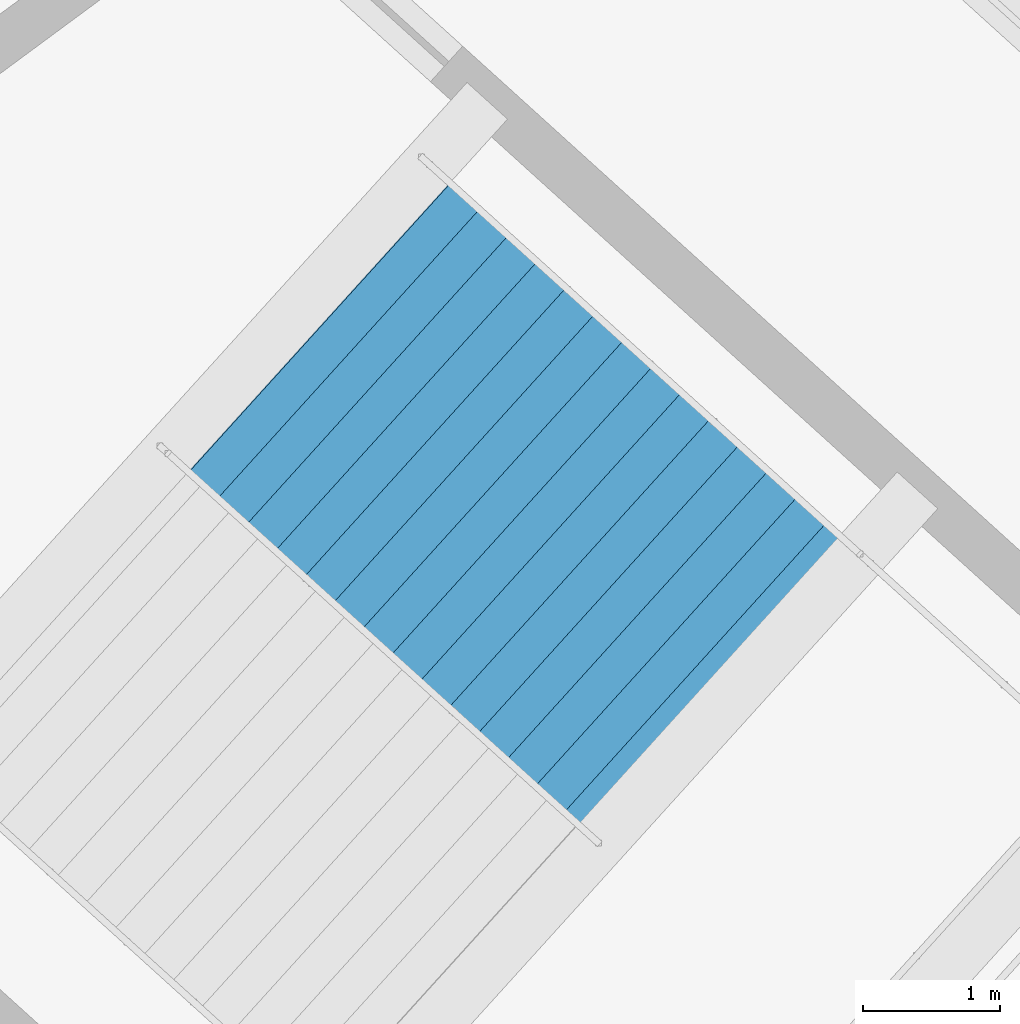
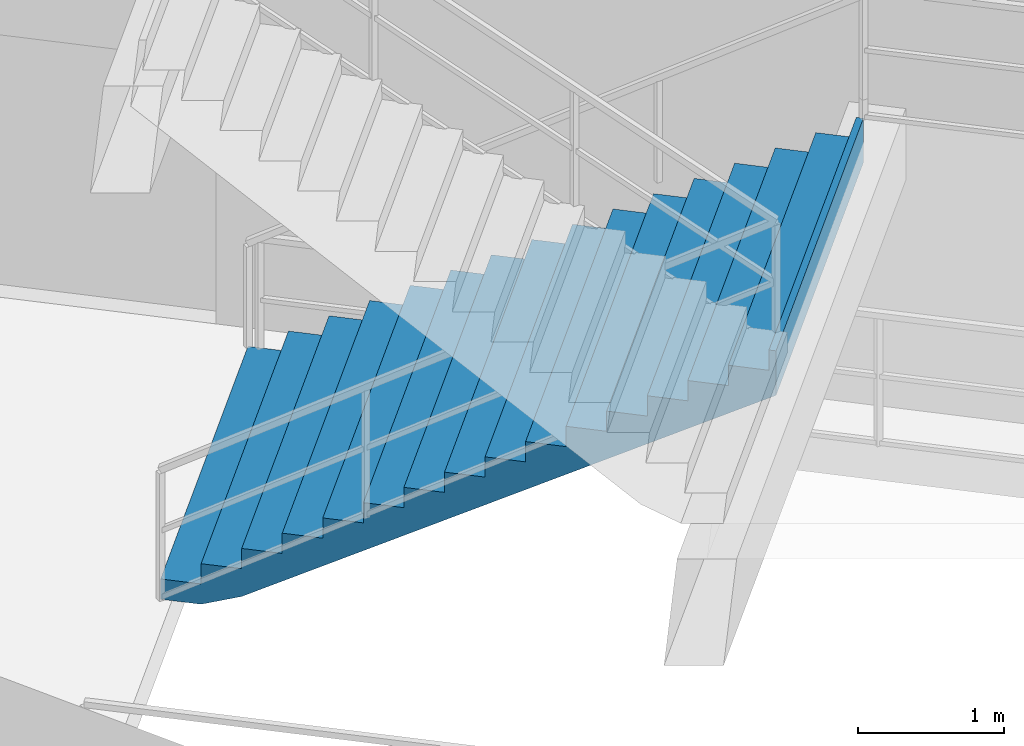
# One storey, part 141 of 186: 1 stair flight, 1 element without a shape of its own.
"""IFC4 building model written with IfcOpenShell, lengths in metres."""

from ifc_helpers import new_model, si_unit, direction, frame, origin, place, context, subcontext, project, spatial, polygons, material, type_object, element, aggregate, save


model = new_model("IFC4")

# Units and contexts
model_context = context("Model", 3, precision=1e-05, world=origin(), true_north=direction((0.0, 1.0)))
body_context = subcontext(model_context, "Body", "Model", "MODEL_VIEW")
ifc_project = project(units=[si_unit("LENGTHUNIT", "METRE"), si_unit("AREAUNIT", "SQUARE_METRE"), si_unit("VOLUMEUNIT", "CUBIC_METRE"), si_unit("PLANEANGLEUNIT", "RADIAN"), si_unit("MASSUNIT", "GRAM", prefix="KILO")], contexts=[model_context])

# Site, building, storey
site_placement = place(None, origin())
site = spatial("IfcSite", under=ifc_project, at=site_placement, CompositionType="ELEMENT")
building_placement = place(site_placement, origin())
building = spatial("IfcBuilding", under=site, at=building_placement, Name="Kazemori Nagisa Stadium", CompositionType="ELEMENT")
storey_placement = place(building_placement, frame((0.0, 0.0, 20.39990234375)))
storey = spatial("IfcBuildingStorey", under=building, at=storey_placement, Name="L04", CompositionType="ELEMENT", Elevation=20.39990234375)

# Stair, stair flight
ifc_material = material(Name="Concrete C36/45 (Fc36)", Category="concrete")
stair_type = type_object("IfcStairType", Name="Stair_CORE_32", PredefinedType="TWO_STRAIGHT_RUN_STAIR", material=ifc_material)
stair_placement = place(storey_placement, origin())
stair = element("IfcStair", 1, at=stair_placement, inside=storey, type_object=stair_type, Name="Exit stair ST03 L04", PredefinedType="TWO_STRAIGHT_RUN_STAIR")
stair_flight_type = type_object("IfcStairFlightType", Name="Flight_CORE_16", PredefinedType="STRAIGHT", material=ifc_material)
stair_flight_placement = place(storey_placement, frame((54.10791015625, 47.6630859375, 0.0), z_axis=(0.0, 0.0, 1.0), x_axis=(0.741354464355, -0.671113670089, 0.0)))
stair_flight = element("IfcStairFlight", 2, at=stair_flight_placement, type_object=stair_flight_type, Name="Exit stair ST03 L04 flight 1", NumberOfRisers=16, NumberOfTreads=15, PredefinedType="STRAIGHT", RiserHeight=0.17, TreadLength=0.285, context=body_context, shape_type="Tessellation", body=[
    polygons([(0.0, -1.425048828125, 0.0), (0.0, -1.425048828125, 0.169921875), (0.284912109375, -1.425048828125, 0.169921875), (0.284912109375, -1.425048828125, 0.340087890625), (0.570068359375, -1.425048828125, 0.340087890625), (0.570068359375, -1.425048828125, 0.510009765625), (0.85498046875, -1.425048828125, 0.510009765625), (0.85498046875, -1.425048828125, 0.679931640625), (1.139892578125, -1.425048828125, 0.679931640625), (1.139892578125, -1.425048828125, 0.85009765625), (1.425048828125, -1.425048828125, 0.85009765625), (1.425048828125, -1.425048828125, 1.02001953125), (1.7099609375, -1.425048828125, 1.02001953125), (1.7099609375, -1.425048828125, 1.18994140625), (1.9951171875, -1.425048828125, 1.18994140625), (1.9951171875, -1.425048828125, 1.360107421875), (2.280029296875, -1.425048828125, 1.360107421875), (2.280029296875, -1.425048828125, 1.530029296875), (2.56494140625, -1.425048828125, 1.530029296875), (2.56494140625, -1.425048828125, 1.699951171875), (2.85009765625, -1.425048828125, 1.699951171875), (2.85009765625, -1.425048828125, 1.8701171875), (3.135009765625, -1.425048828125, 1.8701171875), (3.135009765625, -1.425048828125, 2.0400390625), (3.419921875, -1.425048828125, 2.0400390625), (3.419921875, -1.425048828125, 2.2099609375), (3.705078125, -1.425048828125, 2.2099609375), (3.705078125, -1.425048828125, 2.3798828125), (3.989990234375, -1.425048828125, 2.3798828125), (3.989990234375, -1.425048828125, 2.550048828125), (4.27490234375, -1.425048828125, 2.550048828125), (4.27490234375, -1.425048828125, 2.719970703125), (4.324951171875, -1.425048828125, 2.719970703125), (4.324951171875, -1.425048828125, 2.346923828125), (4.27490234375, -1.425048828125, 2.317138671875), (3.989990234375, -1.425048828125, 2.147216796875), (3.705078125, -1.425048828125, 1.977294921875), (3.419921875, -1.425048828125, 1.80712890625), (3.135009765625, -1.425048828125, 1.63720703125), (2.85009765625, -1.425048828125, 1.46728515625), (2.56494140625, -1.425048828125, 1.297119140625), (2.280029296875, -1.425048828125, 1.127197265625), (1.9951171875, -1.425048828125, 0.957275390625), (1.7099609375, -1.425048828125, 0.787109375), (1.425048828125, -1.425048828125, 0.6171875), (1.139892578125, -1.425048828125, 0.447265625), (0.85498046875, -1.425048828125, 0.277099609375), (0.570068359375, -1.425048828125, 0.107177734375), (0.284912109375, -1.425048828125, 0.0), (0.0, -0.08544921875, 0.0), (0.0, -0.08544921875, 0.169921875), (0.284912109375, -0.08544921875, 0.169921875), (0.284912109375, -0.08544921875, 0.340087890625), (0.570068359375, -0.08544921875, 0.340087890625), (0.570068359375, -0.08544921875, 0.510009765625), (0.85498046875, -0.08544921875, 0.510009765625), (0.85498046875, -0.08544921875, 0.679931640625), (1.139892578125, -0.08544921875, 0.679931640625), (1.139892578125, -0.08544921875, 0.85009765625), (1.425048828125, -0.08544921875, 0.85009765625), (1.425048828125, -0.08544921875, 1.02001953125), (1.7099609375, -0.08544921875, 1.02001953125), (1.7099609375, -0.08544921875, 1.18994140625), (1.9951171875, -0.08544921875, 1.18994140625), (1.9951171875, -0.08544921875, 1.360107421875), (2.280029296875, -0.08544921875, 1.360107421875), (2.280029296875, -0.08544921875, 1.530029296875), (2.56494140625, -0.08544921875, 1.530029296875), (2.56494140625, -0.08544921875, 1.699951171875), (2.85009765625, -0.08544921875, 1.699951171875), (2.85009765625, -0.08544921875, 1.8701171875), (3.135009765625, -0.08544921875, 1.8701171875), (3.135009765625, -0.08544921875, 2.0400390625), (3.419921875, -0.08544921875, 2.0400390625), (3.419921875, -0.08544921875, 2.2099609375), (3.705078125, -0.08544921875, 2.2099609375), (3.705078125, -0.08544921875, 2.3798828125), (3.989990234375, -0.08544921875, 2.3798828125), (3.989990234375, -0.08544921875, 2.550048828125), (4.27490234375, -0.08544921875, 2.550048828125), (4.27490234375, -0.08544921875, 2.719970703125), (4.324951171875, -0.08544921875, 2.719970703125), (4.324951171875, -0.08544921875, 2.346923828125), (4.27490234375, -0.08544921875, 2.317138671875), (3.989990234375, -0.08544921875, 2.147216796875), (3.705078125, -0.08544921875, 1.977294921875), (3.419921875, -0.08544921875, 1.80712890625), (3.135009765625, -0.08544921875, 1.63720703125), (2.85009765625, -0.08544921875, 1.46728515625), (2.56494140625, -0.08544921875, 1.297119140625), (2.280029296875, -0.08544921875, 1.127197265625), (1.9951171875, -0.08544921875, 0.957275390625), (1.7099609375, -0.08544921875, 0.787109375), (1.425048828125, -0.08544921875, 0.6171875), (1.139892578125, -0.08544921875, 0.447265625), (0.85498046875, -0.08544921875, 0.277099609375), (0.570068359375, -0.08544921875, 0.107177734375), (0.284912109375, -0.08544921875, 0.0), (0.0, 0.0, 0.0), (0.0, 0.0, 0.169921875), (0.284912109375, 0.0, 0.169921875), (0.284912109375, 0.0, 0.340087890625), (0.570068359375, 0.0, 0.340087890625), (0.570068359375, 0.0, 0.510009765625), (0.85498046875, 0.0, 0.510009765625), (0.85498046875, 0.0, 0.679931640625), (1.139892578125, 0.0, 0.679931640625), (1.139892578125, 0.0, 0.85009765625), (1.425048828125, 0.0, 0.85009765625), (1.425048828125, 0.0, 1.02001953125), (1.7099609375, 0.0, 1.02001953125), (1.7099609375, 0.0, 1.18994140625), (1.9951171875, 0.0, 1.18994140625), (1.9951171875, 0.0, 1.360107421875), (2.280029296875, 0.0, 1.360107421875), (2.280029296875, 0.0, 1.530029296875), (2.56494140625, 0.0, 1.530029296875), (2.56494140625, 0.0, 1.699951171875), (2.85009765625, 0.0, 1.699951171875), (2.85009765625, 0.0, 1.8701171875), (3.135009765625, 0.0, 1.8701171875), (3.135009765625, 0.0, 2.0400390625), (3.419921875, 0.0, 2.0400390625), (3.419921875, 0.0, 2.2099609375), (3.705078125, 0.0, 2.2099609375), (3.705078125, 0.0, 2.3798828125), (3.989990234375, 0.0, 2.3798828125), (3.989990234375, 0.0, 2.550048828125), (4.27490234375, 0.0, 2.550048828125), (4.27490234375, 0.0, 2.719970703125), (4.324951171875, 0.0, 2.719970703125), (4.324951171875, 0.0, 2.346923828125), (4.27490234375, 0.0, 2.317138671875), (3.989990234375, 0.0, 2.147216796875), (3.705078125, 0.0, 1.977294921875), (3.419921875, 0.0, 1.80712890625), (3.135009765625, 0.0, 1.63720703125), (2.85009765625, 0.0, 1.46728515625), (2.56494140625, 0.0, 1.297119140625), (2.280029296875, 0.0, 1.127197265625), (1.9951171875, 0.0, 0.957275390625), (1.7099609375, 0.0, 0.787109375), (1.425048828125, 0.0, 0.6171875), (1.139892578125, 0.0, 0.447265625), (0.85498046875, 0.0, 0.277099609375), (0.570068359375, 0.0, 0.107177734375), (0.284912109375, 0.0, 0.0), (0.0, 0.08544921875, 0.0), (0.0, 0.08544921875, 0.169921875), (0.284912109375, 0.08544921875, 0.169921875), (0.284912109375, 0.08544921875, 0.340087890625), (0.570068359375, 0.08544921875, 0.340087890625), (0.570068359375, 0.08544921875, 0.510009765625), (0.85498046875, 0.08544921875, 0.510009765625), (0.85498046875, 0.08544921875, 0.679931640625), (1.139892578125, 0.08544921875, 0.679931640625), (1.139892578125, 0.08544921875, 0.85009765625), (1.425048828125, 0.08544921875, 0.85009765625), (1.425048828125, 0.08544921875, 1.02001953125), (1.7099609375, 0.08544921875, 1.02001953125), (1.7099609375, 0.08544921875, 1.18994140625), (1.9951171875, 0.08544921875, 1.18994140625), (1.9951171875, 0.08544921875, 1.360107421875), (2.280029296875, 0.08544921875, 1.360107421875), (2.280029296875, 0.08544921875, 1.530029296875), (2.56494140625, 0.08544921875, 1.530029296875), (2.56494140625, 0.08544921875, 1.699951171875), (2.85009765625, 0.08544921875, 1.699951171875), (2.85009765625, 0.08544921875, 1.8701171875), (3.135009765625, 0.08544921875, 1.8701171875), (3.135009765625, 0.08544921875, 2.0400390625), (3.419921875, 0.08544921875, 2.0400390625), (3.419921875, 0.08544921875, 2.2099609375), (3.705078125, 0.08544921875, 2.2099609375), (3.705078125, 0.08544921875, 2.3798828125), (3.989990234375, 0.08544921875, 2.3798828125), (3.989990234375, 0.08544921875, 2.550048828125), (4.27490234375, 0.08544921875, 2.550048828125), (4.27490234375, 0.08544921875, 2.719970703125), (4.324951171875, 0.08544921875, 2.719970703125), (4.324951171875, 0.08544921875, 2.346923828125), (4.27490234375, 0.08544921875, 2.317138671875), (3.989990234375, 0.08544921875, 2.147216796875), (3.705078125, 0.08544921875, 1.977294921875), (3.419921875, 0.08544921875, 1.80712890625), (3.135009765625, 0.08544921875, 1.63720703125), (2.85009765625, 0.08544921875, 1.46728515625), (2.56494140625, 0.08544921875, 1.297119140625), (2.280029296875, 0.08544921875, 1.127197265625), (1.9951171875, 0.08544921875, 0.957275390625), (1.7099609375, 0.08544921875, 0.787109375), (1.425048828125, 0.08544921875, 0.6171875), (1.139892578125, 0.08544921875, 0.447265625), (0.85498046875, 0.08544921875, 0.277099609375), (0.570068359375, 0.08544921875, 0.107177734375), (0.284912109375, 0.08544921875, 0.0), (0.0, 1.425048828125, 0.0), (0.0, 1.425048828125, 0.169921875), (0.284912109375, 1.425048828125, 0.169921875), (0.284912109375, 1.425048828125, 0.340087890625), (0.570068359375, 1.425048828125, 0.340087890625), (0.570068359375, 1.425048828125, 0.510009765625), (0.85498046875, 1.425048828125, 0.510009765625), (0.85498046875, 1.425048828125, 0.679931640625), (1.139892578125, 1.425048828125, 0.679931640625), (1.139892578125, 1.425048828125, 0.85009765625), (1.425048828125, 1.425048828125, 0.85009765625), (1.425048828125, 1.425048828125, 1.02001953125), (1.7099609375, 1.425048828125, 1.02001953125), (1.7099609375, 1.425048828125, 1.18994140625), (1.9951171875, 1.425048828125, 1.18994140625), (1.9951171875, 1.425048828125, 1.360107421875), (2.280029296875, 1.425048828125, 1.360107421875), (2.280029296875, 1.425048828125, 1.530029296875), (2.56494140625, 1.425048828125, 1.530029296875), (2.56494140625, 1.425048828125, 1.699951171875), (2.85009765625, 1.425048828125, 1.699951171875), (2.85009765625, 1.425048828125, 1.8701171875), (3.135009765625, 1.425048828125, 1.8701171875), (3.135009765625, 1.425048828125, 2.0400390625), (3.419921875, 1.425048828125, 2.0400390625), (3.419921875, 1.425048828125, 2.2099609375), (3.705078125, 1.425048828125, 2.2099609375), (3.705078125, 1.425048828125, 2.3798828125), (3.989990234375, 1.425048828125, 2.3798828125), (3.989990234375, 1.425048828125, 2.550048828125), (4.27490234375, 1.425048828125, 2.550048828125), (4.27490234375, 1.425048828125, 2.719970703125), (4.324951171875, 1.425048828125, 2.719970703125), (4.324951171875, 1.425048828125, 2.346923828125), (4.27490234375, 1.425048828125, 2.317138671875), (3.989990234375, 1.425048828125, 2.147216796875), (3.705078125, 1.425048828125, 1.977294921875), (3.419921875, 1.425048828125, 1.80712890625), (3.135009765625, 1.425048828125, 1.63720703125), (2.85009765625, 1.425048828125, 1.46728515625), (2.56494140625, 1.425048828125, 1.297119140625), (2.280029296875, 1.425048828125, 1.127197265625), (1.9951171875, 1.425048828125, 0.957275390625), (1.7099609375, 1.425048828125, 0.787109375), (1.425048828125, 1.425048828125, 0.6171875), (1.139892578125, 1.425048828125, 0.447265625), (0.85498046875, 1.425048828125, 0.277099609375), (0.570068359375, 1.425048828125, 0.107177734375), (0.284912109375, 1.425048828125, 0.0)], [[[1, 2, 51]], [[1, 51, 50]], [[2, 3, 52]], [[2, 52, 51]], [[3, 4, 53]], [[3, 53, 52]], [[4, 5, 54]], [[4, 54, 53]], [[5, 6, 55]], [[5, 55, 54]], [[6, 7, 56]], [[6, 56, 55]], [[7, 8, 57]], [[7, 57, 56]], [[8, 9, 58]], [[8, 58, 57]], [[9, 10, 59]], [[9, 59, 58]], [[10, 11, 60]], [[10, 60, 59]], [[11, 12, 61]], [[11, 61, 60]], [[12, 13, 62]], [[12, 62, 61]], [[13, 14, 63]], [[13, 63, 62]], [[14, 15, 64]], [[14, 64, 63]], [[15, 16, 65]], [[15, 65, 64]], [[16, 17, 66]], [[16, 66, 65]], [[17, 18, 67]], [[17, 67, 66]], [[18, 19, 68]], [[18, 68, 67]], [[19, 20, 69]], [[19, 69, 68]], [[20, 21, 70]], [[20, 70, 69]], [[21, 22, 71]], [[21, 71, 70]], [[22, 23, 72]], [[22, 72, 71]], [[23, 24, 73]], [[23, 73, 72]], [[24, 25, 74]], [[24, 74, 73]], [[25, 26, 75]], [[25, 75, 74]], [[26, 27, 76]], [[26, 76, 75]], [[27, 28, 77]], [[27, 77, 76]], [[28, 29, 78]], [[28, 78, 77]], [[29, 30, 79]], [[29, 79, 78]], [[30, 31, 80]], [[30, 80, 79]], [[31, 32, 81]], [[31, 81, 80]], [[32, 33, 82]], [[32, 82, 81]], [[33, 34, 83]], [[33, 83, 82]], [[34, 35, 84]], [[34, 84, 83]], [[35, 36, 85]], [[35, 85, 84]], [[36, 37, 86]], [[36, 86, 85]], [[37, 38, 87]], [[37, 87, 86]], [[38, 39, 88]], [[38, 88, 87]], [[39, 40, 89]], [[39, 89, 88]], [[40, 41, 90]], [[40, 90, 89]], [[41, 42, 91]], [[41, 91, 90]], [[42, 43, 92]], [[42, 92, 91]], [[43, 44, 93]], [[43, 93, 92]], [[44, 45, 94]], [[44, 94, 93]], [[45, 46, 95]], [[45, 95, 94]], [[46, 47, 96]], [[46, 96, 95]], [[47, 48, 97]], [[47, 97, 96]], [[48, 49, 98]], [[48, 98, 97]], [[49, 1, 50]], [[49, 50, 98]], [[50, 51, 100]], [[50, 100, 99]], [[51, 52, 101]], [[51, 101, 100]], [[52, 53, 102]], [[52, 102, 101]], [[53, 54, 103]], [[53, 103, 102]], [[54, 55, 104]], [[54, 104, 103]], [[55, 56, 105]], [[55, 105, 104]], [[56, 57, 106]], [[56, 106, 105]], [[57, 58, 107]], [[57, 107, 106]], [[58, 59, 108]], [[58, 108, 107]], [[59, 60, 109]], [[59, 109, 108]], [[60, 61, 110]], [[60, 110, 109]], [[61, 62, 111]], [[61, 111, 110]], [[62, 63, 112]], [[62, 112, 111]], [[63, 64, 113]], [[63, 113, 112]], [[64, 65, 114]], [[64, 114, 113]], [[65, 66, 115]], [[65, 115, 114]], [[66, 67, 116]], [[66, 116, 115]], [[67, 68, 117]], [[67, 117, 116]], [[68, 69, 118]], [[68, 118, 117]], [[69, 70, 119]], [[69, 119, 118]], [[70, 71, 120]], [[70, 120, 119]], [[71, 72, 121]], [[71, 121, 120]], [[72, 73, 122]], [[72, 122, 121]], [[73, 74, 123]], [[73, 123, 122]], [[74, 75, 124]], [[74, 124, 123]], [[75, 76, 125]], [[75, 125, 124]], [[76, 77, 126]], [[76, 126, 125]], [[77, 78, 127]], [[77, 127, 126]], [[78, 79, 128]], [[78, 128, 127]], [[79, 80, 129]], [[79, 129, 128]], [[80, 81, 130]], [[80, 130, 129]], [[81, 82, 131]], [[81, 131, 130]], [[82, 83, 132]], [[82, 132, 131]], [[83, 84, 133]], [[83, 133, 132]], [[84, 85, 134]], [[84, 134, 133]], [[85, 86, 135]], [[85, 135, 134]], [[86, 87, 136]], [[86, 136, 135]], [[87, 88, 137]], [[87, 137, 136]], [[88, 89, 138]], [[88, 138, 137]], [[89, 90, 139]], [[89, 139, 138]], [[90, 91, 140]], [[90, 140, 139]], [[91, 92, 141]], [[91, 141, 140]], [[92, 93, 142]], [[92, 142, 141]], [[93, 94, 143]], [[93, 143, 142]], [[94, 95, 144]], [[94, 144, 143]], [[95, 96, 145]], [[95, 145, 144]], [[96, 97, 146]], [[96, 146, 145]], [[97, 98, 147]], [[97, 147, 146]], [[98, 50, 99]], [[98, 99, 147]], [[99, 100, 149]], [[99, 149, 148]], [[100, 101, 150]], [[100, 150, 149]], [[101, 102, 151]], [[101, 151, 150]], [[102, 103, 152]], [[102, 152, 151]], [[103, 104, 153]], [[103, 153, 152]], [[104, 105, 154]], [[104, 154, 153]], [[105, 106, 155]], [[105, 155, 154]], [[106, 107, 156]], [[106, 156, 155]], [[107, 108, 157]], [[107, 157, 156]], [[108, 109, 158]], [[108, 158, 157]], [[109, 110, 159]], [[109, 159, 158]], [[110, 111, 160]], [[110, 160, 159]], [[111, 112, 161]], [[111, 161, 160]], [[112, 113, 162]], [[112, 162, 161]], [[113, 114, 163]], [[113, 163, 162]], [[114, 115, 164]], [[114, 164, 163]], [[115, 116, 165]], [[115, 165, 164]], [[116, 117, 166]], [[116, 166, 165]], [[117, 118, 167]], [[117, 167, 166]], [[118, 119, 168]], [[118, 168, 167]], [[119, 120, 169]], [[119, 169, 168]], [[120, 121, 170]], [[120, 170, 169]], [[121, 122, 171]], [[121, 171, 170]], [[122, 123, 172]], [[122, 172, 171]], [[123, 124, 173]], [[123, 173, 172]], [[124, 125, 174]], [[124, 174, 173]], [[125, 126, 175]], [[125, 175, 174]], [[126, 127, 176]], [[126, 176, 175]], [[127, 128, 177]], [[127, 177, 176]], [[128, 129, 178]], [[128, 178, 177]], [[129, 130, 179]], [[129, 179, 178]], [[130, 131, 180]], [[130, 180, 179]], [[131, 132, 181]], [[131, 181, 180]], [[132, 133, 182]], [[132, 182, 181]], [[133, 134, 183]], [[133, 183, 182]], [[134, 135, 184]], [[134, 184, 183]], [[135, 136, 185]], [[135, 185, 184]], [[136, 137, 186]], [[136, 186, 185]], [[137, 138, 187]], [[137, 187, 186]], [[138, 139, 188]], [[138, 188, 187]], [[139, 140, 189]], [[139, 189, 188]], [[140, 141, 190]], [[140, 190, 189]], [[141, 142, 191]], [[141, 191, 190]], [[142, 143, 192]], [[142, 192, 191]], [[143, 144, 193]], [[143, 193, 192]], [[144, 145, 194]], [[144, 194, 193]], [[145, 146, 195]], [[145, 195, 194]], [[146, 147, 196]], [[146, 196, 195]], [[147, 99, 148]], [[147, 148, 196]], [[148, 149, 198]], [[148, 198, 197]], [[149, 150, 199]], [[149, 199, 198]], [[150, 151, 200]], [[150, 200, 199]], [[151, 152, 201]], [[151, 201, 200]], [[152, 153, 202]], [[152, 202, 201]], [[153, 154, 203]], [[153, 203, 202]], [[154, 155, 204]], [[154, 204, 203]], [[155, 156, 205]], [[155, 205, 204]], [[156, 157, 206]], [[156, 206, 205]], [[157, 158, 207]], [[157, 207, 206]], [[158, 159, 208]], [[158, 208, 207]], [[159, 160, 209]], [[159, 209, 208]], [[160, 161, 210]], [[160, 210, 209]], [[161, 162, 211]], [[161, 211, 210]], [[162, 163, 212]], [[162, 212, 211]], [[163, 164, 213]], [[163, 213, 212]], [[164, 165, 214]], [[164, 214, 213]], [[165, 166, 215]], [[165, 215, 214]], [[166, 167, 216]], [[166, 216, 215]], [[167, 168, 217]], [[167, 217, 216]], [[168, 169, 218]], [[168, 218, 217]], [[169, 170, 219]], [[169, 219, 218]], [[170, 171, 220]], [[170, 220, 219]], [[171, 172, 221]], [[171, 221, 220]], [[172, 173, 222]], [[172, 222, 221]], [[173, 174, 223]], [[173, 223, 222]], [[174, 175, 224]], [[174, 224, 223]], [[175, 176, 225]], [[175, 225, 224]], [[176, 177, 226]], [[176, 226, 225]], [[177, 178, 227]], [[177, 227, 226]], [[178, 179, 228]], [[178, 228, 227]], [[179, 180, 229]], [[179, 229, 228]], [[180, 181, 230]], [[180, 230, 229]], [[181, 182, 231]], [[181, 231, 230]], [[182, 183, 232]], [[182, 232, 231]], [[183, 184, 233]], [[183, 233, 232]], [[184, 185, 234]], [[184, 234, 233]], [[185, 186, 235]], [[185, 235, 234]], [[186, 187, 236]], [[186, 236, 235]], [[187, 188, 237]], [[187, 237, 236]], [[188, 189, 238]], [[188, 238, 237]], [[189, 190, 239]], [[189, 239, 238]], [[190, 191, 240]], [[190, 240, 239]], [[191, 192, 241]], [[191, 241, 240]], [[192, 193, 242]], [[192, 242, 241]], [[193, 194, 243]], [[193, 243, 242]], [[194, 195, 244]], [[194, 244, 243]], [[195, 196, 245]], [[195, 245, 244]], [[196, 148, 197]], [[196, 197, 245]], [[3, 2, 1]], [[197, 198, 199]], [[49, 3, 1]], [[197, 199, 245]], [[48, 3, 49]], [[245, 199, 244]], [[5, 3, 48]], [[244, 199, 201]], [[5, 4, 3]], [[199, 200, 201]], [[47, 5, 48]], [[244, 201, 243]], [[7, 5, 47]], [[243, 201, 203]], [[7, 6, 5]], [[201, 202, 203]], [[46, 7, 47]], [[243, 203, 242]], [[9, 7, 46]], [[242, 203, 205]], [[9, 8, 7]], [[203, 204, 205]], [[45, 9, 46]], [[242, 205, 241]], [[11, 9, 45]], [[241, 205, 207]], [[11, 10, 9]], [[205, 206, 207]], [[44, 11, 45]], [[241, 207, 240]], [[13, 11, 44]], [[240, 207, 209]], [[13, 12, 11]], [[207, 208, 209]], [[43, 13, 44]], [[240, 209, 239]], [[15, 13, 43]], [[239, 209, 211]], [[15, 14, 13]], [[209, 210, 211]], [[42, 15, 43]], [[239, 211, 238]], [[17, 15, 42]], [[238, 211, 213]], [[17, 16, 15]], [[211, 212, 213]], [[41, 17, 42]], [[238, 213, 237]], [[19, 17, 41]], [[237, 213, 215]], [[19, 18, 17]], [[213, 214, 215]], [[40, 19, 41]], [[237, 215, 236]], [[21, 19, 40]], [[236, 215, 217]], [[21, 20, 19]], [[215, 216, 217]], [[39, 21, 40]], [[236, 217, 235]], [[23, 21, 39]], [[235, 217, 219]], [[23, 22, 21]], [[217, 218, 219]], [[38, 23, 39]], [[235, 219, 234]], [[25, 23, 38]], [[234, 219, 221]], [[25, 24, 23]], [[219, 220, 221]], [[37, 25, 38]], [[234, 221, 233]], [[27, 25, 37]], [[233, 221, 223]], [[27, 26, 25]], [[221, 222, 223]], [[36, 27, 37]], [[233, 223, 232]], [[29, 27, 36]], [[232, 223, 225]], [[29, 28, 27]], [[223, 224, 225]], [[35, 29, 36]], [[232, 225, 231]], [[31, 29, 35]], [[231, 225, 227]], [[31, 30, 29]], [[225, 226, 227]], [[34, 31, 35]], [[231, 227, 230]], [[33, 31, 34]], [[230, 227, 229]], [[33, 32, 31]], [[227, 228, 229]]], closed=True),
])
aggregate(stair, [stair_flight])

save(model, "model.ifc")
